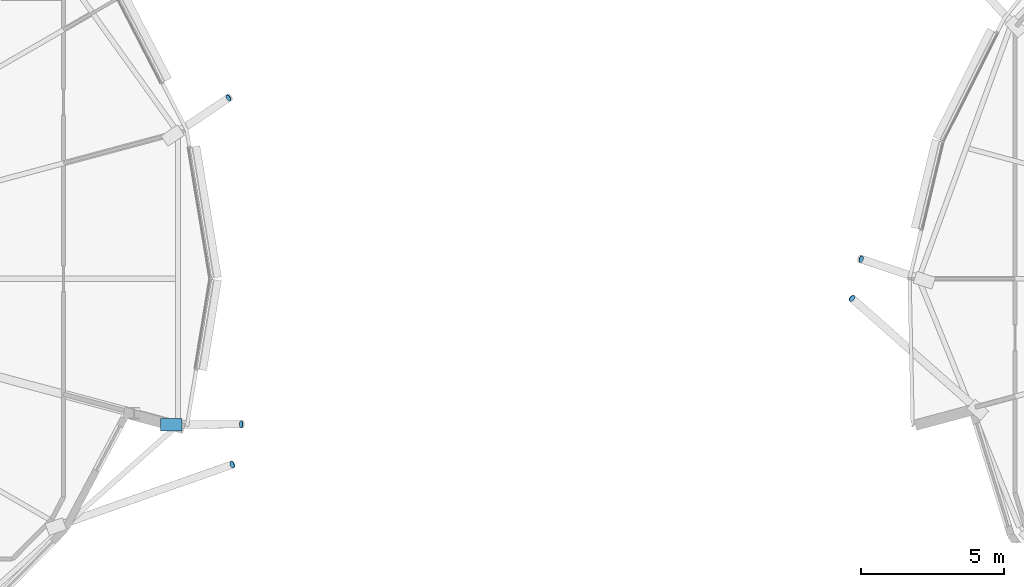
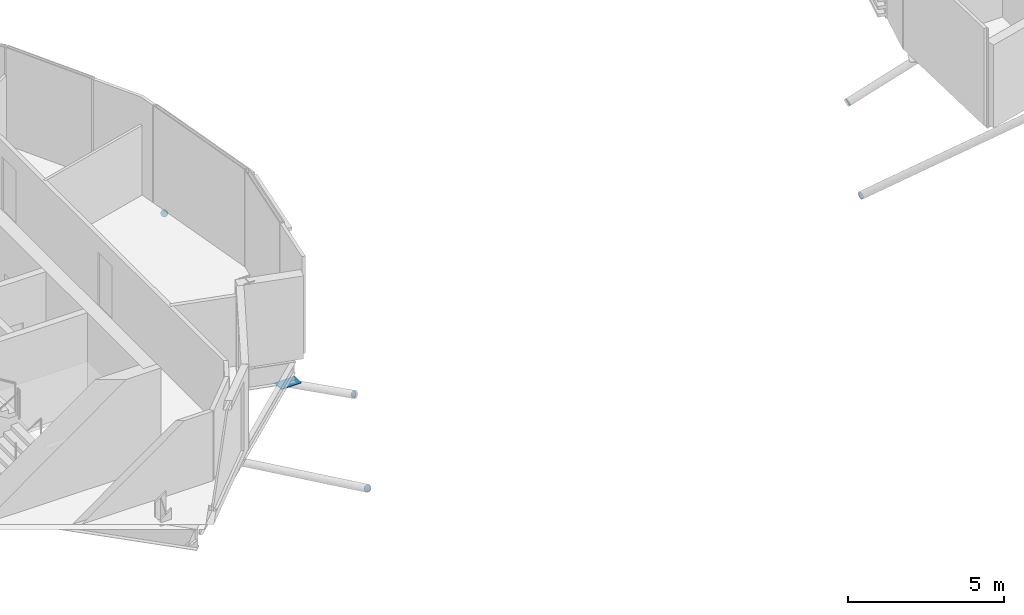
# One storey, part 26 of 36: 6 discrete accessories.
"""IFC4 building model written with IfcOpenShell, lengths in metres."""

from ifc_helpers import new_model, si_unit, direction, frame, origin, origin_2d, place, context, subcontext, project, spatial, polyline, rectangle, circle, outline, extrude, material, material_profile, profile_set, type_object, element, save


model = new_model("IFC4")

# Units and contexts
model_context = context("Model", 3, precision=1e-05, world=origin(), true_north=direction((0.0, 1.0)))
body_context = subcontext(model_context, "Body", "Model", "MODEL_VIEW")
ifc_project = project(units=[si_unit("LENGTHUNIT", "METRE"), si_unit("AREAUNIT", "SQUARE_METRE"), si_unit("VOLUMEUNIT", "CUBIC_METRE"), si_unit("PLANEANGLEUNIT", "RADIAN"), si_unit("MASSUNIT", "GRAM", prefix="KILO")], contexts=[model_context])

# Site, building, storey
site_placement = place(None, origin())
site = spatial("IfcSite", under=ifc_project, at=site_placement, CompositionType="ELEMENT")
building_placement = place(site_placement, origin())
building = spatial("IfcBuilding", under=site, at=building_placement, Name="Rimbun Link Towers", CompositionType="ELEMENT")
storey_placement = place(building_placement, frame((0.0, 0.0, 248.5)))
storey = spatial("IfcBuildingStorey", under=building, at=storey_placement, Name="L61", CompositionType="ELEMENT", Elevation=248.5)

# Discrete accessories
ifc_material_1 = material(Name="Steel S355J2H", Category="steel")
ifc_material_profile_1 = material_profile(ifc_material_1, circle(Radius=0.1240234375, at=origin_2d()), Name="PL D248")
ifc_profile_set_1 = profile_set([ifc_material_profile_1], Name="Steel S355J2H")
discrete_accessory_type_1 = type_object("IfcDiscreteAccessoryType", Name="Link foot sealing plate D248X20", PredefinedType="BRACKET", material=ifc_profile_set_1)
for number, where, z_axis, x_axis, name in (
    (1, (-10.98486328125, 6.2958984375, -1.9541015625), (0.717275529789, 0.474131282403, -0.510602919511), (-0.551433013749, 0.834219174646, 0.0), "Link foot sealing plate T1 L61 01"),
    (2, (-10.853515625, -6.476318359375, -5.005615234375), (0.771859467083, 0.2695382266, -0.575831665919), (-0.329682832837, 0.944091748578, 0.0), "Link foot sealing plate T1 L61 22"),
):
    element("IfcDiscreteAccessory", number, at=place(storey_placement, frame(where, z_axis=z_axis, x_axis=x_axis)), inside=storey, type_object=discrete_accessory_type_1, Name=name, PredefinedType="BRACKET", context=body_context, shape_type="SweptSolid", body=[
        extrude(circle(Radius=0.1240234375, at=origin_2d()), origin(), (0.0, 0.0, 1.0), 0.02001953125),
    ])
discrete_accessory_1_placement = place(storey_placement, frame((-10.54248046875, -5.069580078125, -2.2958984375), z_axis=(0.884384752847, 0.0, -0.466758619558), x_axis=(0.0, 1.0, 0.0)))
element("IfcDiscreteAccessory", 3, at=discrete_accessory_1_placement, inside=storey, type_object=discrete_accessory_type_1, Name="Link foot sealing plate T1 L61 23", PredefinedType="BRACKET", context=body_context, shape_type="SweptSolid", body=[
    extrude(circle(Radius=0.1240234375, at=origin_2d()), origin(), (0.0, 0.0, 1.0), 0.019775390625),
])
for number, where, z_axis, x_axis, name in (
    (4, (11.072021484375, 0.68115234375, -1.922607421875), (-0.806981052007, 0.268993684002, -0.525760382368), (-0.316227766017, -0.948683298051, 0.0), "Link foot sealing plate T2 L61 09"),
    (5, (10.752685546875, -0.6884765625, -4.627685546875), (-0.609303184999, 0.548372866499, -0.572744993899), (-0.668964731622, -0.743294146247, 0.0), "Link foot sealing plate T2 L61 10"),
):
    element("IfcDiscreteAccessory", number, at=place(storey_placement, frame(where, z_axis=z_axis, x_axis=x_axis)), inside=storey, type_object=discrete_accessory_type_1, Name=name, PredefinedType="BRACKET", context=body_context, shape_type="SweptSolid", body=[
        extrude(circle(Radius=0.1240234375, at=origin_2d()), origin(), (0.0, 0.0, 1.0), 0.02001953125),
    ])
ifc_material_2 = material(Name="Steel S355J2H", Category="steel")
ifc_material_profile_2 = material_profile(ifc_material_2, rectangle(XDim=0.43310546875, YDim=0.43310546875, at=origin_2d()), Name="PL 433x433")
ifc_profile_set_2 = profile_set([ifc_material_profile_2], Name="Steel S355J2H")
discrete_accessory_type_2 = type_object("IfcDiscreteAccessoryType", Name="Link head end plate 433X20", PredefinedType="BRACKET", material=ifc_profile_set_2)
discrete_accessory_2_placement = place(storey_placement, frame((0.0, 0.0, -1.000732421875)))
element("IfcDiscreteAccessory", 6, at=discrete_accessory_2_placement, inside=storey, type_object=discrete_accessory_type_2, Name="Link head end plate T1 L61 23", PredefinedType="BRACKET", context=body_context, shape_type="SweptSolid", body=[
    extrude(outline(polyline([(-13.343505859375, -5.30078125), (-12.602783203125, -5.296875), (-12.60498046875, -4.86376953125), (-13.345703125, -4.86767578125), (-13.343505859375, -5.30078125)])), origin(), (0.0, 0.0, 1.0), 0.02001953125),
])

save(model, "model.ifc")
